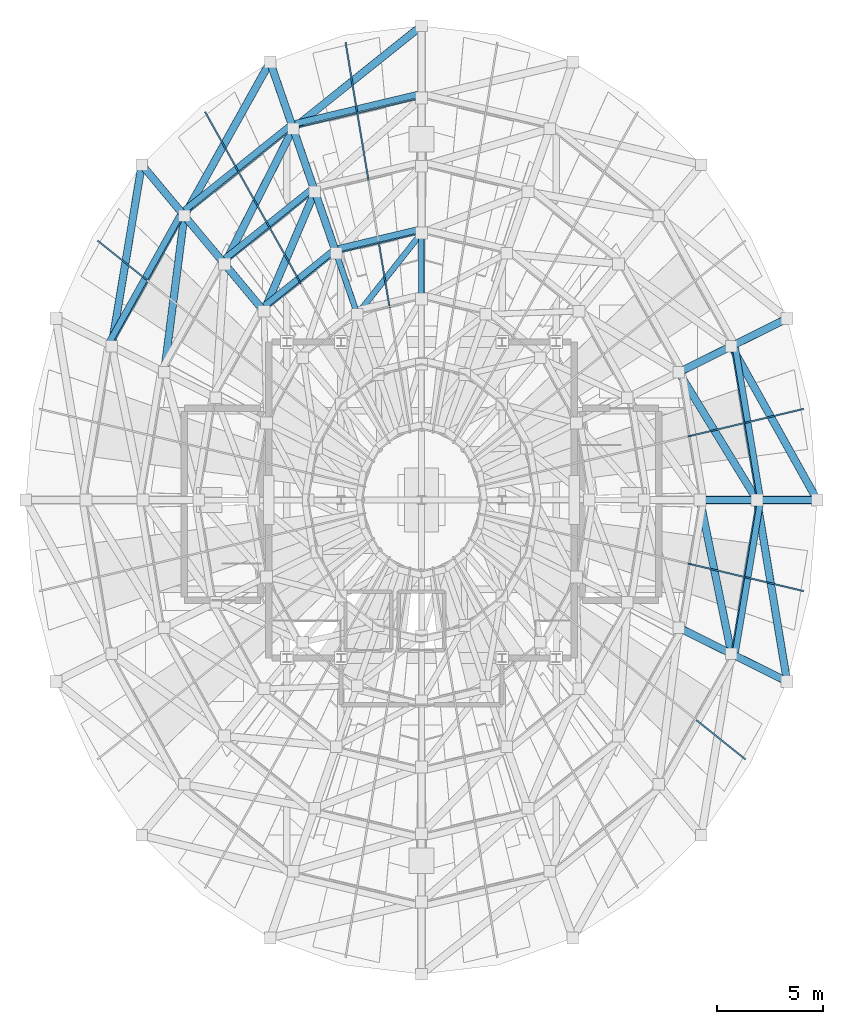
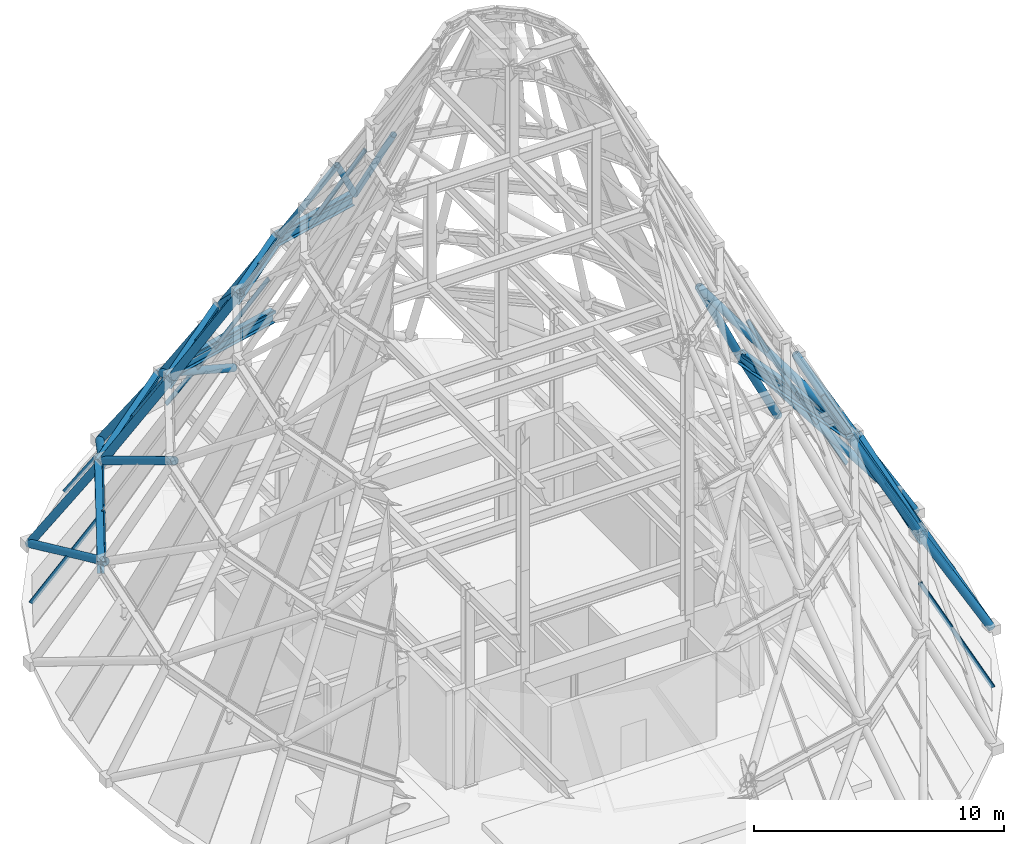
# One storey, part 9 of 16: 45 members, 8 beams, 4 elements without a shape of their own.
"""IFC4 building model written with IfcOpenShell, lengths in metres."""

from ifc_helpers import new_model, si_unit, direction, frame, origin, origin_2d, place, context, subcontext, project, spatial, hollow_rectangle, hollow_circle, i_section, extrude, material, layer, layer_set, material_profile, profile_set, type_object, element, aggregate, save


model = new_model("IFC4")

# Units and contexts
model_context = context("Model", 3, precision=1e-05, world=origin(), true_north=direction((0.0, 1.0)))
body_context = subcontext(model_context, "Body", "Model", "MODEL_VIEW")
ifc_project = project(units=[si_unit("LENGTHUNIT", "METRE"), si_unit("AREAUNIT", "SQUARE_METRE"), si_unit("VOLUMEUNIT", "CUBIC_METRE"), si_unit("PLANEANGLEUNIT", "RADIAN"), si_unit("MASSUNIT", "GRAM", prefix="KILO")], contexts=[model_context])

# Site, building, storey
site_placement = place(None, origin())
site = spatial("IfcSite", under=ifc_project, at=site_placement, CompositionType="ELEMENT")
building_placement = place(site_placement, origin())
building = spatial("IfcBuilding", under=site, at=building_placement, Name="Veldorina Hangang Commons", CompositionType="ELEMENT")
storey_placement = place(building_placement, frame((0.0, 0.0, 308.39990234375)))
storey = spatial("IfcBuildingStorey", under=building, at=storey_placement, Name="Crown", CompositionType="ELEMENT", Elevation=308.39990234375)

# Beams
ifc_material_1 = material(Name="Steel SM460-TMC", Category="steel")
ifc_material_profile_1 = material_profile(ifc_material_1, i_section(OverallWidth=0.300048828125, OverallDepth=0.587890625, WebThickness=0.011962890625, FlangeThickness=0.02001953125, FilletRadius=0.01806640625, at=origin_2d()), Name="H-588x300x12x20")
ifc_profile_set_1 = profile_set([ifc_material_profile_1], Name="Steel SM460-TMC")
beam_type = type_object("IfcBeamType", Name="BM-FG588", PredefinedType="BEAM", material=ifc_profile_set_1)
beam_1_placement = place(storey_placement, frame((47.989013671875, 24.0, 4.5), z_axis=(-0.163733169397, 0.986504662553, 0.0), x_axis=(-0.986504662553, -0.163733169397, 0.0)))
element("IfcBeam", 1, at=beam_1_placement, inside=storey, type_object=beam_type, Name="Crown tier 1 ring beam 00", PredefinedType="BEAM", context=body_context, shape_type="SweptSolid", body=[
    extrude(i_section(OverallWidth=0.300048828125, OverallDepth=0.587890625, WebThickness=0.011962890625, FlangeThickness=0.02001953125, FilletRadius=0.01806640625, at=origin_2d()), origin(), (0.0, 0.0, 1.0), 7.43310546875),
])
beam_2_placement = place(storey_placement, frame((32.0, 43.1611328125, 4.5), z_axis=(-0.972737457446, -0.231909117718, 0.0), x_axis=(0.231909117718, -0.972737457446, 0.0)))
element("IfcBeam", 2, at=beam_2_placement, inside=storey, type_object=beam_type, Name="Crown tier 1 ring beam 04", PredefinedType="BEAM", context=body_context, shape_type="SweptSolid", body=[
    extrude(i_section(OverallWidth=0.300048828125, OverallDepth=0.587890625, WebThickness=0.011962890625, FlangeThickness=0.02001953125, FilletRadius=0.01806640625, at=origin_2d()), origin(), (0.0, 0.0, 1.0), 6.2900390625),
])
beam_3_placement = place(storey_placement, frame((25.88134765625, 41.702392578125, 4.5), z_axis=(-0.780592742978, -0.62503997441, 0.0), x_axis=(0.62503997441, -0.780592742978, 0.0)))
element("IfcBeam", 3, at=beam_3_placement, inside=storey, type_object=beam_type, Name="Crown tier 1 ring beam 05", PredefinedType="BEAM", context=body_context, shape_type="SweptSolid", body=[
    extrude(i_section(OverallWidth=0.300048828125, OverallDepth=0.587890625, WebThickness=0.011962890625, FlangeThickness=0.02001953125, FilletRadius=0.01806640625, at=origin_2d()), origin(), (0.0, 0.0, 1.0), 6.645263671875),
])
beam_4_placement = place(storey_placement, frame((20.694091796875, 37.548828125, 4.5), z_axis=(-0.48700541563, -0.873398949591, 0.0), x_axis=(0.873398949591, -0.48700541563, 0.0)))
element("IfcBeam", 4, at=beam_4_placement, inside=storey, type_object=beam_type, Name="Crown tier 1 ring beam 06", PredefinedType="BEAM", context=body_context, shape_type="SweptSolid", body=[
    extrude(i_section(OverallWidth=0.300048828125, OverallDepth=0.587890625, WebThickness=0.011962890625, FlangeThickness=0.02001953125, FilletRadius=0.01806640625, at=origin_2d()), origin(), (0.0, 0.0, 1.0), 7.1171875),
])
beam_5_placement = place(storey_placement, frame((46.77197265625, 16.667236328125, 4.5), z_axis=(0.163733169397, 0.986504662553, 0.0), x_axis=(-0.986504662553, 0.163733169397, 0.0)))
element("IfcBeam", 5, at=beam_5_placement, inside=storey, type_object=beam_type, Name="Crown tier 1 ring beam 15", PredefinedType="BEAM", context=body_context, shape_type="SweptSolid", body=[
    extrude(i_section(OverallWidth=0.300048828125, OverallDepth=0.587890625, WebThickness=0.011962890625, FlangeThickness=0.02001953125, FilletRadius=0.01806640625, at=origin_2d()), origin(), (0.0, 0.0, 1.0), 7.43310546875),
])
beam_6_placement = place(storey_placement, frame((26.911865234375, 38.72119140625, 9.300048828125), z_axis=(-0.780592886021, -0.625039795768, 0.0), x_axis=(0.625039795768, -0.780592886021, 0.0)))
element("IfcBeam", 6, at=beam_6_placement, inside=storey, type_object=beam_type, Name="Crown tier 2 ring beam 05", PredefinedType="BEAM", context=body_context, shape_type="SweptSolid", body=[
    extrude(i_section(OverallWidth=0.300048828125, OverallDepth=0.587890625, WebThickness=0.011962890625, FlangeThickness=0.02001953125, FilletRadius=0.01806640625, at=origin_2d()), origin(), (0.0, 0.0, 1.0), 5.526123046875),
])
beam_7_placement = place(storey_placement, frame((32.0, 36.781005859375, 14.10009765625), z_axis=(-0.972743744908, -0.231882743522, 0.0), x_axis=(0.231882743522, -0.972743744908, 0.0)))
element("IfcBeam", 7, at=beam_7_placement, inside=storey, type_object=beam_type, Name="Crown tier 3 ring beam 04", PredefinedType="BEAM", context=body_context, shape_type="SweptSolid", body=[
    extrude(i_section(OverallWidth=0.300048828125, OverallDepth=0.587890625, WebThickness=0.011962890625, FlangeThickness=0.02001953125, FilletRadius=0.01806640625, at=origin_2d()), origin(), (0.0, 0.0, 1.0), 4.195556640625),
])
beam_8_placement = place(storey_placement, frame((27.918701171875, 35.80810546875, 14.10009765625), z_axis=(-0.780610819839, -0.625017398118, 0.0), x_axis=(0.625017398118, -0.780610819839, 0.0)))
element("IfcBeam", 8, at=beam_8_placement, inside=storey, type_object=beam_type, Name="Crown tier 3 ring beam 05", PredefinedType="BEAM", context=body_context, shape_type="SweptSolid", body=[
    extrude(i_section(OverallWidth=0.300048828125, OverallDepth=0.587890625, WebThickness=0.011962890625, FlangeThickness=0.02001953125, FilletRadius=0.01806640625, at=origin_2d()), origin(), (0.0, 0.0, 1.0), 4.4326171875),
])

# Members
ifc_material_2 = material(Name="Steel SM355-TMC", Category="steel")
ifc_material_profile_2 = material_profile(ifc_material_2, hollow_circle(Radius=0.136474609375, WallThickness=0.011962890625, at=origin_2d()), Name="CHS-273.0x12")
ifc_profile_set_2 = profile_set([ifc_material_profile_2], Name="Steel SM355-TMC")
member_type_1 = type_object("IfcMemberType", Name="CRN-RIB273", PredefinedType="BRACE", material=ifc_profile_set_2)
member_1_placement = place(storey_placement, frame((32.0, 36.584228515625, 14.400146484375), z_axis=(0.0, -0.543316784792, 0.839527766881), x_axis=(1.0, 0.0, 0.0)))
element("IfcMember", 9, at=member_1_placement, inside=storey, type_object=member_type_1, Name="Crown tier 4 CROWN FRAME meridian rib 04", PredefinedType="BRACE", context=body_context, shape_type="SweptSolid", body=[
    extrude(hollow_circle(Radius=0.136474609375, WallThickness=0.011962890625, at=origin_2d()), origin(), (0.0, 0.0, 1.0), 5.717529296875),
])
member_2_placement = place(storey_placement, frame((32.0, 36.584228515625, 14.400146484375), z_axis=(-0.442166215286, -0.559225948977, 0.701252719104), x_axis=(0.784424082486, -0.620224845371, 0.0)))
element("IfcMember", 10, at=member_2_placement, inside=storey, type_object=member_type_1, Name="Crown tier 4 CROWN FRAME diagrid brace 04", PredefinedType="BRACE", context=body_context, shape_type="SweptSolid", body=[
    extrude(hollow_circle(Radius=0.136474609375, WallThickness=0.011962890625, at=origin_2d()), origin(), (0.0, 0.0, 1.0), 6.844970703125),
])
member_3_placement = place(storey_placement, frame((27.9814453125, 35.626220703125, 14.400146484375), z_axis=(0.174642809834, -0.505273499779, 0.845102703459), x_axis=(0.945136052308, 0.326676969845, 0.0)))
element("IfcMember", 11, at=member_3_placement, inside=storey, type_object=member_type_1, Name="Crown tier 4 CROWN FRAME meridian rib 05", PredefinedType="BRACE", context=body_context, shape_type="SweptSolid", body=[
    extrude(hollow_circle(Radius=0.136474609375, WallThickness=0.011962890625, at=origin_2d()), origin(), (0.0, 0.0, 1.0), 5.679931640625),
])
ifc_material_profile_3 = material_profile(ifc_material_2, hollow_circle(Radius=0.177734375, WallThickness=0.01611328125, at=origin_2d()), Name="CHS-355.6x16")
ifc_profile_set_3 = profile_set([ifc_material_profile_3], Name="Steel SM355-TMC")
member_type_2 = type_object("IfcMemberType", Name="CRN-RIB355", PredefinedType="BRACE", material=ifc_profile_set_3)
member_4_placement = place(storey_placement, frame((50.64990234375, 24.0, 0.0), z_axis=(-0.50899331274, 0.0, 0.860770473231), x_axis=(0.0, -1.0, 0.0)))
element("IfcMember", 12, at=member_4_placement, inside=storey, type_object=member_type_2, Name="Crown tier 1 CROWN FRAME meridian rib 00", PredefinedType="BRACE", context=body_context, shape_type="SweptSolid", body=[
    extrude(hollow_circle(Radius=0.177734375, WallThickness=0.01611328125, at=origin_2d()), origin(), (0.0, 0.0, 1.0), 5.576416015625),
])
member_5_placement = place(storey_placement, frame((50.64990234375, 24.0, 0.0), z_axis=(-0.421502189024, 0.75616311405, 0.500552943851), x_axis=(-0.8734641768, -0.486888418272, 0.0)))
element("IfcMember", 13, at=member_5_placement, inside=storey, type_object=member_type_2, Name="Crown tier 1 CROWN FRAME diagrid brace 00", PredefinedType="BRACE", context=body_context, shape_type="SweptSolid", body=[
    extrude(hollow_circle(Radius=0.177734375, WallThickness=0.01611328125, at=origin_2d()), origin(), (0.0, 0.0, 1.0), 9.589599609375),
])
member_6_placement = place(storey_placement, frame((49.23046875, 32.552978515625, 0.0), z_axis=(-0.46643736726, -0.231525232008, 0.853716726653), x_axis=(0.444610084266, -0.895724217027, 0.0)))
element("IfcMember", 14, at=member_6_placement, inside=storey, type_object=member_type_2, Name="Crown tier 1 CROWN FRAME meridian rib 01", PredefinedType="BRACE", context=body_context, shape_type="SweptSolid", body=[
    extrude(hollow_circle(Radius=0.177734375, WallThickness=0.01611328125, at=origin_2d()), origin(), (0.0, 0.0, 1.0), 5.62255859375),
])
member_7_placement = place(storey_placement, frame((32.0, 46.35009765625, 0.0), z_axis=(-0.663693099032, -0.531324030742, 0.526503793579), x_axis=(0.62496005921, -0.780656726348, 0.0)))
element("IfcMember", 15, at=member_7_placement, inside=storey, type_object=member_type_2, Name="Crown tier 1 CROWN FRAME diagrid brace 04", PredefinedType="BRACE", context=body_context, shape_type="SweptSolid", body=[
    extrude(hollow_circle(Radius=0.177734375, WallThickness=0.01611328125, at=origin_2d()), origin(), (0.0, 0.0, 1.0), 9.116943359375),
])
member_8_placement = place(storey_placement, frame((24.863037109375, 44.648681640625, 0.0), z_axis=(0.186016034255, -0.538187995712, 0.822041188914), x_axis=(0.945137867095, 0.32667171929, 0.0)))
element("IfcMember", 16, at=member_8_placement, inside=storey, type_object=member_type_2, Name="Crown tier 1 CROWN FRAME meridian rib 05", PredefinedType="BRACE", context=body_context, shape_type="SweptSolid", body=[
    extrude(hollow_circle(Radius=0.177734375, WallThickness=0.01611328125, at=origin_2d()), origin(), (0.0, 0.0, 1.0), 5.839111328125),
])
member_9_placement = place(storey_placement, frame((24.863037109375, 44.648681640625, 0.0), z_axis=(-0.421668374498, -0.756059899111, 0.500568887272), x_axis=(0.873354250632, -0.487085570412, 0.0)))
element("IfcMember", 17, at=member_9_placement, inside=storey, type_object=member_type_2, Name="Crown tier 1 CROWN FRAME diagrid brace 05", PredefinedType="BRACE", context=body_context, shape_type="SweptSolid", body=[
    extrude(hollow_circle(Radius=0.177734375, WallThickness=0.01611328125, at=origin_2d()), origin(), (0.0, 0.0, 1.0), 9.589111328125),
])
member_10_placement = place(storey_placement, frame((18.8125, 39.8037109375, 0.0), z_axis=(0.350168559507, -0.419597430934, 0.837448491482), x_axis=(0.767767513013, 0.640728527508, 0.0)))
element("IfcMember", 18, at=member_10_placement, inside=storey, type_object=member_type_2, Name="Crown tier 1 CROWN FRAME meridian rib 06", PredefinedType="BRACE", context=body_context, shape_type="SweptSolid", body=[
    extrude(hollow_circle(Radius=0.177734375, WallThickness=0.01611328125, at=origin_2d()), origin(), (0.0, 0.0, 1.0), 5.731689453125),
])
member_11_placement = place(storey_placement, frame((18.8125, 39.8037109375, 0.0), z_axis=(-0.143334626605, -0.863038037916, 0.484376434115), x_axis=(0.986487378252, -0.163837274604, 0.0)))
element("IfcMember", 19, at=member_11_placement, inside=storey, type_object=member_type_2, Name="Crown tier 1 CROWN FRAME diagrid brace 06", PredefinedType="BRACE", context=body_context, shape_type="SweptSolid", body=[
    extrude(hollow_circle(Radius=0.177734375, WallThickness=0.01611328125, at=origin_2d()), origin(), (0.0, 0.0, 1.0), 9.90966796875),
])
member_12_placement = place(storey_placement, frame((49.23046875, 15.447021484375, 0.0), z_axis=(-0.46643736726, 0.231525232008, 0.853716726653), x_axis=(-0.444610084266, -0.895724217027, 0.0)))
element("IfcMember", 20, at=member_12_placement, inside=storey, type_object=member_type_2, Name="Crown tier 1 CROWN FRAME meridian rib 15", PredefinedType="BRACE", context=body_context, shape_type="SweptSolid", body=[
    extrude(hollow_circle(Radius=0.177734375, WallThickness=0.01611328125, at=origin_2d()), origin(), (0.0, 0.0, 1.0), 5.62255859375),
])
member_13_placement = place(storey_placement, frame((49.23046875, 15.447021484375, 0.0), z_axis=(-0.143183751361, 0.863068885314, 0.484366093517), x_axis=(-0.986516182276, -0.163663747078, 0.0)))
element("IfcMember", 21, at=member_13_placement, inside=storey, type_object=member_type_2, Name="Crown tier 1 CROWN FRAME diagrid brace 15", PredefinedType="BRACE", context=body_context, shape_type="SweptSolid", body=[
    extrude(hollow_circle(Radius=0.177734375, WallThickness=0.01611328125, at=origin_2d()), origin(), (0.0, 0.0, 1.0), 9.909912109375),
])
member_14_placement = place(storey_placement, frame((47.8115234375, 24.0, 4.800048828125), z_axis=(-0.487921854716, 0.0, 0.872887314429), x_axis=(0.0, -1.0, 0.0)))
element("IfcMember", 22, at=member_14_placement, inside=storey, type_object=member_type_2, Name="Crown tier 2 CROWN FRAME meridian rib 00", PredefinedType="BRACE", context=body_context, shape_type="SweptSolid", body=[
    extrude(hollow_circle(Radius=0.177734375, WallThickness=0.01611328125, at=origin_2d()), origin(), (0.0, 0.0, 1.0), 5.4990234375),
])
member_15_placement = place(storey_placement, frame((47.8115234375, 24.0, 4.800048828125), z_axis=(-0.431433256184, 0.705401812024, 0.562382102356), x_axis=(-0.853091089083, -0.521762008704, 0.0)))
element("IfcMember", 23, at=member_15_placement, inside=storey, type_object=member_type_2, Name="Crown tier 2 CROWN FRAME diagrid brace 00", PredefinedType="BRACE", context=body_context, shape_type="SweptSolid", body=[
    extrude(hollow_circle(Radius=0.177734375, WallThickness=0.01611328125, at=origin_2d()), origin(), (0.0, 0.0, 1.0), 8.53515625),
])
member_16_placement = place(storey_placement, frame((46.60791015625, 31.251220703125, 4.800048828125), z_axis=(-0.447377291638, -0.222080325998, 0.866333589174), x_axis=(0.444635676807, -0.895711513218, 0.0)))
element("IfcMember", 24, at=member_16_placement, inside=storey, type_object=member_type_2, Name="Crown tier 2 CROWN FRAME meridian rib 01", PredefinedType="BRACE", context=body_context, shape_type="SweptSolid", body=[
    extrude(hollow_circle(Radius=0.177734375, WallThickness=0.01611328125, at=origin_2d()), origin(), (0.0, 0.0, 1.0), 5.54052734375),
])
member_17_placement = place(storey_placement, frame((25.94921875, 41.506103515625, 4.800048828125), z_axis=(0.17896971746, -0.517761179755, 0.836596199472), x_axis=(0.94513004186, 0.326694358651, 0.0)))
element("IfcMember", 25, at=member_17_placement, inside=storey, type_object=member_type_2, Name="Crown tier 2 CROWN FRAME meridian rib 05", PredefinedType="BRACE", context=body_context, shape_type="SweptSolid", body=[
    extrude(hollow_circle(Radius=0.177734375, WallThickness=0.01611328125, at=origin_2d()), origin(), (0.0, 0.0, 1.0), 5.737548828125),
])
member_18_placement = place(storey_placement, frame((25.94921875, 41.506103515625, 4.800048828125), z_axis=(-0.375235683021, -0.740750381203, 0.557213652861), x_axis=(0.892073568209, -0.451890195626, 0.0)))
element("IfcMember", 26, at=member_18_placement, inside=storey, type_object=member_type_2, Name="Crown tier 2 CROWN FRAME diagrid brace 05", PredefinedType="BRACE", context=body_context, shape_type="SweptSolid", body=[
    extrude(hollow_circle(Radius=0.177734375, WallThickness=0.01611328125, at=origin_2d()), origin(), (0.0, 0.0, 1.0), 8.6142578125),
])
member_19_placement = place(storey_placement, frame((20.819580078125, 37.398681640625, 4.800048828125), z_axis=(0.336386334792, -0.40313549555, 0.85107344336), x_axis=(0.767808896081, 0.640678936051, 0.0)))
element("IfcMember", 27, at=member_19_placement, inside=storey, type_object=member_type_2, Name="Crown tier 2 CROWN FRAME meridian rib 06", PredefinedType="BRACE", context=body_context, shape_type="SweptSolid", body=[
    extrude(hollow_circle(Radius=0.177734375, WallThickness=0.01611328125, at=origin_2d()), origin(), (0.0, 0.0, 1.0), 5.639892578125),
])
member_20_placement = place(storey_placement, frame((20.819580078125, 37.398681640625, 4.800048828125), z_axis=(-0.107165679164, -0.833388271832, 0.54219876944), x_axis=(0.991833403051, -0.127540192067, 0.0)))
element("IfcMember", 28, at=member_20_placement, inside=storey, type_object=member_type_2, Name="Crown tier 2 CROWN FRAME diagrid brace 06", PredefinedType="BRACE", context=body_context, shape_type="SweptSolid", body=[
    extrude(hollow_circle(Radius=0.177734375, WallThickness=0.01611328125, at=origin_2d()), origin(), (0.0, 0.0, 1.0), 8.85302734375),
])
member_21_placement = place(storey_placement, frame((46.60791015625, 16.748779296875, 4.800048828125), z_axis=(-0.447377291638, 0.222080325998, 0.866333589174), x_axis=(-0.444635676807, -0.895711513218, 0.0)))
element("IfcMember", 29, at=member_21_placement, inside=storey, type_object=member_type_2, Name="Crown tier 2 CROWN FRAME meridian rib 15", PredefinedType="BRACE", context=body_context, shape_type="SweptSolid", body=[
    extrude(hollow_circle(Radius=0.177734375, WallThickness=0.01611328125, at=origin_2d()), origin(), (0.0, 0.0, 1.0), 5.54052734375),
])
member_22_placement = place(storey_placement, frame((46.60791015625, 16.748779296875, 4.800048828125), z_axis=(-0.167724372344, 0.822043165512, 0.544163182288), x_axis=(-0.979813291029, -0.199914768649, 0.0)))
element("IfcMember", 30, at=member_22_placement, inside=storey, type_object=member_type_2, Name="Crown tier 2 CROWN FRAME diagrid brace 15", PredefinedType="BRACE", context=body_context, shape_type="SweptSolid", body=[
    extrude(hollow_circle(Radius=0.177734375, WallThickness=0.01611328125, at=origin_2d()), origin(), (0.0, 0.0, 1.0), 8.821044921875),
])
member_23_placement = place(storey_placement, frame((26.97607421875, 38.535400390625, 9.60009765625), z_axis=(0.176314249131, -0.510189556253, 0.841795641616), x_axis=(0.94515192212, 0.326631051971, 0.0)))
element("IfcMember", 31, at=member_23_placement, inside=storey, type_object=member_type_2, Name="Crown tier 3 CROWN FRAME meridian rib 05", PredefinedType="BRACE", context=body_context, shape_type="SweptSolid", body=[
    extrude(hollow_circle(Radius=0.177734375, WallThickness=0.01611328125, at=origin_2d()), origin(), (0.0, 0.0, 1.0), 5.7021484375),
])
member_24_placement = place(storey_placement, frame((26.97607421875, 38.535400390625, 9.60009765625), z_axis=(-0.308521470937, -0.7242224728, 0.616697909728), x_axis=(0.919998172689, -0.391922648299, 0.0)))
element("IfcMember", 32, at=member_24_placement, inside=storey, type_object=member_type_2, Name="Crown tier 3 CROWN FRAME diagrid brace 05", PredefinedType="BRACE", context=body_context, shape_type="SweptSolid", body=[
    extrude(hollow_circle(Radius=0.177734375, WallThickness=0.01611328125, at=origin_2d()), origin(), (0.0, 0.0, 1.0), 7.783447265625),
])
member_25_placement = place(storey_placement, frame((22.716796875, 35.125, 9.60009765625), z_axis=(0.331295255321, -0.397031895995, 0.855925888944), x_axis=(0.767807072832, 0.64068112108, 0.0)))
element("IfcMember", 33, at=member_25_placement, inside=storey, type_object=member_type_2, Name="Crown tier 3 CROWN FRAME meridian rib 06", PredefinedType="BRACE", context=body_context, shape_type="SweptSolid", body=[
    extrude(hollow_circle(Radius=0.177734375, WallThickness=0.01611328125, at=origin_2d()), origin(), (0.0, 0.0, 1.0), 5.60791015625),
])

# Curtain wall, members
ifc_material_3 = material(Name="Glass Low-Iron Laminated", Category="glass")
ifc_layer = layer(ifc_material_3, 0.179931640625)
ifc_layer_set = layer_set([ifc_layer], Name="Glass Low-Iron Laminated")
curtain_wall_type = type_object("IfcCurtainWallType", Name="CW-SYS-CRN", PredefinedType="NOTDEFINED", material=ifc_layer_set)
curtain_wall_1_placement = place(storey_placement, origin())
curtain_wall_1 = element("IfcCurtainWall", 34, at=curtain_wall_1_placement, inside=storey, type_object=curtain_wall_type, Name="Crown glass-point sloped pyramidal curtain wall tier 1", PredefinedType="NOTDEFINED")
ifc_material_4 = material(Name="Aluminium Anodized AA6063-T6", Category="aluminium")
ifc_material_profile_4 = material_profile(ifc_material_4, hollow_rectangle(XDim=0.070068359375, YDim=0.179931640625, WallThickness=0.00390625, at=origin_2d()), Name="ALU-RHS-180x70x4")
ifc_profile_set_4 = profile_set([ifc_material_profile_4], Name="Aluminium Anodized AA6063-T6")
member_type_3 = type_object("IfcMemberType", Name="CW-MUL-180", PredefinedType="MULLION", material=ifc_profile_set_4)
member_26_placement = place(storey_placement, frame((49.940185546875, 28.276611328125, 0.0), z_axis=(-0.491044075663, -0.117053246219, 0.86323476141), x_axis=(0.231879208722, -0.972744587527, 0.0)))
member_26 = element("IfcMember", 35, at=member_26_placement, type_object=member_type_3, Name="CW-CRN-T1 sloped mid-facet mullion 1", PredefinedType="MULLION", context=body_context, shape_type="SweptSolid", body=[
    extrude(hollow_rectangle(XDim=0.070068359375, YDim=0.179931640625, WallThickness=0.00390625, at=origin_2d()), origin(), (0.0, 0.0, 1.0), 5.560546875),
])
member_27_placement = place(storey_placement, frame((28.431396484375, 45.499267578125, 0.0), z_axis=(0.093103638593, -0.560797736822, 0.82270141051), x_axis=(0.986497177914, 0.163778258533, 0.0)))
member_27 = element("IfcMember", 36, at=member_27_placement, type_object=member_type_3, Name="CW-CRN-T1 sloped mid-facet mullion 5", PredefinedType="MULLION", context=body_context, shape_type="SweptSolid", body=[
    extrude(hollow_rectangle(XDim=0.070068359375, YDim=0.179931640625, WallThickness=0.00390625, at=origin_2d()), origin(), (0.0, 0.0, 1.0), 5.83447265625),
])
member_28_placement = place(storey_placement, frame((21.837646484375, 42.226318359375, 0.0), z_axis=(0.268755836906, -0.48194504718, 0.833965989491), x_axis=(0.873380223306, 0.487038997964, 0.0)))
member_28 = element("IfcMember", 37, at=member_28_placement, type_object=member_type_3, Name="CW-CRN-T1 sloped mid-facet mullion 6", PredefinedType="MULLION", context=body_context, shape_type="SweptSolid", body=[
    extrude(hollow_rectangle(XDim=0.070068359375, YDim=0.179931640625, WallThickness=0.00390625, at=origin_2d()), origin(), (0.0, 0.0, 1.0), 5.755615234375),
])
member_29_placement = place(storey_placement, frame((16.791015625, 36.178466796875, 0.0), z_axis=(0.410251211856, -0.32851251982, 0.850748768728), x_axis=(0.625056433501, 0.780579563491, 0.0)))
member_29 = element("IfcMember", 38, at=member_29_placement, type_object=member_type_3, Name="CW-CRN-T1 sloped mid-facet mullion 7", PredefinedType="MULLION", context=body_context, shape_type="SweptSolid", body=[
    extrude(hollow_rectangle(XDim=0.070068359375, YDim=0.179931640625, WallThickness=0.00390625, at=origin_2d()), origin(), (0.0, 0.0, 1.0), 5.64208984375),
])
member_30_placement = place(storey_placement, frame((47.208984375, 11.821533203125, 0.0), z_axis=(-0.410251211856, 0.32851251982, 0.850748768728), x_axis=(-0.625056433501, -0.780579563491, 0.0)))
member_30 = element("IfcMember", 39, at=member_30_placement, type_object=member_type_3, Name="CW-CRN-T1 sloped mid-facet mullion 15", PredefinedType="MULLION", context=body_context, shape_type="SweptSolid", body=[
    extrude(hollow_rectangle(XDim=0.070068359375, YDim=0.179931640625, WallThickness=0.00390625, at=origin_2d()), origin(), (0.0, 0.0, 1.0), 5.64208984375),
])
member_31_placement = place(storey_placement, frame((49.940185546875, 19.723388671875, 0.0), z_axis=(-0.491044075663, 0.117053246219, 0.86323476141), x_axis=(-0.231879208722, -0.972744587527, 0.0)))
member_31 = element("IfcMember", 40, at=member_31_placement, type_object=member_type_3, Name="CW-CRN-T1 sloped mid-facet mullion 16", PredefinedType="MULLION", context=body_context, shape_type="SweptSolid", body=[
    extrude(hollow_rectangle(XDim=0.070068359375, YDim=0.179931640625, WallThickness=0.00390625, at=origin_2d()), origin(), (0.0, 0.0, 1.0), 5.560546875),
])

curtain_wall_2_placement = place(storey_placement, origin())
curtain_wall_2 = element("IfcCurtainWall", 41, at=curtain_wall_2_placement, inside=storey, type_object=curtain_wall_type, Name="Crown glass-point sloped pyramidal curtain wall tier 2", PredefinedType="NOTDEFINED")
member_32_placement = place(storey_placement, frame((47.209716796875, 27.625732421875, 4.800048828125), z_axis=(-0.470600443519, -0.112174907082, 0.875186844497), x_axis=(0.231869306541, -0.972746947918, 0.0)))
member_32 = element("IfcMember", 42, at=member_32_placement, type_object=member_type_3, Name="CW-CRN-T2 sloped mid-facet mullion 1", PredefinedType="MULLION", context=body_context, shape_type="SweptSolid", body=[
    extrude(hollow_rectangle(XDim=0.070068359375, YDim=0.179931640625, WallThickness=0.00390625, at=origin_2d()), origin(), (0.0, 0.0, 1.0), 5.484619140625),
])
member_33_placement = place(storey_placement, frame((28.974609375, 42.227294921875, 4.800048828125), z_axis=(0.089551725769, -0.539482079778, 0.83722134111), x_axis=(0.986501044241, 0.163754968509, 0.0)))
member_33 = element("IfcMember", 43, at=member_33_placement, type_object=member_type_3, Name="CW-CRN-T2 sloped mid-facet mullion 5", PredefinedType="MULLION", context=body_context, shape_type="SweptSolid", body=[
    extrude(hollow_rectangle(XDim=0.070068359375, YDim=0.179931640625, WallThickness=0.00390625, at=origin_2d()), origin(), (0.0, 0.0, 1.0), 5.7333984375),
])
member_34_placement = place(storey_placement, frame((23.384521484375, 39.452392578125, 4.800048828125), z_axis=(0.258213776392, -0.46317203945, 0.847819147904), x_axis=(0.873439034538, 0.486933520046, 0.0)))
member_34 = element("IfcMember", 44, at=member_34_placement, type_object=member_type_3, Name="CW-CRN-T2 sloped mid-facet mullion 6", PredefinedType="MULLION", context=body_context, shape_type="SweptSolid", body=[
    extrude(hollow_rectangle(XDim=0.070068359375, YDim=0.179931640625, WallThickness=0.00390625, at=origin_2d()), origin(), (0.0, 0.0, 1.0), 5.66162109375),
])
member_35_placement = place(storey_placement, frame((47.209716796875, 20.374267578125, 4.800048828125), z_axis=(-0.470600443519, 0.112174907082, 0.875186844497), x_axis=(-0.231869306541, -0.972746947918, 0.0)))
member_35 = element("IfcMember", 45, at=member_35_placement, type_object=member_type_3, Name="CW-CRN-T2 sloped mid-facet mullion 16", PredefinedType="MULLION", context=body_context, shape_type="SweptSolid", body=[
    extrude(hollow_rectangle(XDim=0.070068359375, YDim=0.179931640625, WallThickness=0.00390625, at=origin_2d()), origin(), (0.0, 0.0, 1.0), 5.484619140625),
])

# Curtain wall, member
curtain_wall_3_placement = place(storey_placement, origin())
curtain_wall_3 = element("IfcCurtainWall", 46, at=curtain_wall_3_placement, inside=storey, type_object=curtain_wall_type, Name="Crown glass-point sloped pyramidal curtain wall tier 3", PredefinedType="NOTDEFINED")
member_36_placement = place(storey_placement, frame((24.846435546875, 36.830078125, 9.60009765625), z_axis=(0.254339513365, -0.456197646926, 0.852757362255), x_axis=(0.873427723074, 0.486953809479, 0.0)))
member_36 = element("IfcMember", 47, at=member_36_placement, type_object=member_type_3, Name="CW-CRN-T3 sloped mid-facet mullion 6", PredefinedType="MULLION", context=body_context, shape_type="SweptSolid", body=[
    extrude(hollow_rectangle(XDim=0.070068359375, YDim=0.179931640625, WallThickness=0.00390625, at=origin_2d()), origin(), (0.0, 0.0, 1.0), 5.62890625),
])

curtain_wall_4_placement = place(storey_placement, origin())
curtain_wall_4 = element("IfcCurtainWall", 48, at=curtain_wall_4_placement, inside=storey, type_object=curtain_wall_type, Name="Crown glass-point sloped pyramidal curtain wall tier 4", PredefinedType="NOTDEFINED")
member_37_placement = place(storey_placement, frame((29.99072265625, 36.105224609375, 14.400146484375), z_axis=(0.087404756742, -0.526450205595, 0.845701241295), x_axis=(0.986496119713, 0.163784632344, 0.0)))
member_37 = element("IfcMember", 49, at=member_37_placement, type_object=member_type_3, Name="CW-CRN-T4 sloped mid-facet mullion 5", PredefinedType="MULLION", context=body_context, shape_type="SweptSolid", body=[
    extrude(hollow_rectangle(XDim=0.070068359375, YDim=0.179931640625, WallThickness=0.00390625, at=origin_2d()), origin(), (0.0, 0.0, 1.0), 5.67578125),
])
aggregate(curtain_wall_4, [member_37])

# Member
ifc_material_profile_5 = material_profile(ifc_material_4, hollow_rectangle(XDim=0.06005859375, YDim=0.139892578125, WallThickness=0.00341796875, at=origin_2d()), Name="ALU-RHS-140x60x3.5")
ifc_profile_set_5 = profile_set([ifc_material_profile_5], Name="Aluminium Anodized AA6063-T6")
member_type_4 = type_object("IfcMemberType", Name="CW-TRN-140", PredefinedType="USERDEFINED", material=ifc_profile_set_5)
member_38_placement = place(storey_placement, frame((47.8115234375, 24.0, 4.800048828125), z_axis=(-0.163747230085, 0.986502328755, 0.0), x_axis=(-0.986502328755, -0.163747230085, 0.0)))
member_38 = element("IfcMember", 50, at=member_38_placement, type_object=member_type_4, Name="CW-CRN-T1 horizontal ring transom 1", ObjectType="TRANSOM", PredefinedType="USERDEFINED", context=body_context, shape_type="SweptSolid", body=[
    extrude(hollow_rectangle(XDim=0.06005859375, YDim=0.139892578125, WallThickness=0.00341796875, at=origin_2d()), origin(), (0.0, 0.0, 1.0), 7.350341796875),
])

member_39_placement = place(storey_placement, frame((32.0, 42.948486328125, 4.800048828125), z_axis=(-0.972743852943, -0.231882290316, 0.0), x_axis=(0.231882290316, -0.972743852943, 0.0)))
member_39 = element("IfcMember", 51, at=member_39_placement, type_object=member_type_4, Name="CW-CRN-T1 horizontal ring transom 5", ObjectType="TRANSOM", PredefinedType="USERDEFINED", context=body_context, shape_type="SweptSolid", body=[
    extrude(hollow_rectangle(XDim=0.06005859375, YDim=0.139892578125, WallThickness=0.00341796875, at=origin_2d()), origin(), (0.0, 0.0, 1.0), 6.22021484375),
])

member_40_placement = place(storey_placement, frame((25.94921875, 41.506103515625, 4.800048828125), z_axis=(-0.78059326765, -0.625039319163, 0.0), x_axis=(0.625039319163, -0.78059326765, 0.0)))
member_40 = element("IfcMember", 52, at=member_40_placement, type_object=member_type_4, Name="CW-CRN-T1 horizontal ring transom 6", ObjectType="TRANSOM", PredefinedType="USERDEFINED", context=body_context, shape_type="SweptSolid", body=[
    extrude(hollow_rectangle(XDim=0.06005859375, YDim=0.139892578125, WallThickness=0.00341796875, at=origin_2d()), origin(), (0.0, 0.0, 1.0), 6.571533203125),
])

member_41_placement = place(storey_placement, frame((20.819580078125, 37.398681640625, 4.800048828125), z_axis=(-0.4869706204, -0.873418350429, 0.0), x_axis=(0.873418350429, -0.4869706204, 0.0)))
member_41 = element("IfcMember", 53, at=member_41_placement, type_object=member_type_4, Name="CW-CRN-T1 horizontal ring transom 7", ObjectType="TRANSOM", PredefinedType="USERDEFINED", context=body_context, shape_type="SweptSolid", body=[
    extrude(hollow_rectangle(XDim=0.06005859375, YDim=0.139892578125, WallThickness=0.00341796875, at=origin_2d()), origin(), (0.0, 0.0, 1.0), 7.038330078125),
])

member_42_placement = place(storey_placement, frame((46.60791015625, 16.748779296875, 4.800048828125), z_axis=(0.163747230085, 0.986502328755, 0.0), x_axis=(-0.986502328755, 0.163747230085, 0.0)))
member_42 = element("IfcMember", 54, at=member_42_placement, type_object=member_type_4, Name="CW-CRN-T1 horizontal ring transom 16", ObjectType="TRANSOM", PredefinedType="USERDEFINED", context=body_context, shape_type="SweptSolid", body=[
    extrude(hollow_rectangle(XDim=0.06005859375, YDim=0.139892578125, WallThickness=0.00341796875, at=origin_2d()), origin(), (0.0, 0.0, 1.0), 7.350341796875),
])

aggregate(curtain_wall_1, [member_26, member_38, member_27, member_39, member_28, member_40, member_29, member_41, member_30, member_31, member_42])

member_43_placement = place(storey_placement, frame((26.97607421875, 38.535400390625, 9.60009765625), z_axis=(-0.780602457603, -0.625027841927, 0.0), x_axis=(0.625027841927, -0.780602457603, 0.0)))
member_43 = element("IfcMember", 55, at=member_43_placement, type_object=member_type_4, Name="CW-CRN-T2 horizontal ring transom 6", ObjectType="TRANSOM", PredefinedType="USERDEFINED", context=body_context, shape_type="SweptSolid", body=[
    extrude(hollow_rectangle(XDim=0.06005859375, YDim=0.139892578125, WallThickness=0.00341796875, at=origin_2d()), origin(), (0.0, 0.0, 1.0), 5.456298828125),
])

aggregate(curtain_wall_2, [member_32, member_33, member_34, member_43, member_35])

member_44_placement = place(storey_placement, frame((32.0, 36.584228515625, 14.400146484375), z_axis=(-0.972740229862, -0.231897488577, 0.0), x_axis=(0.231897488577, -0.972740229862, 0.0)))
member_44 = element("IfcMember", 56, at=member_44_placement, type_object=member_type_4, Name="CW-CRN-T3 horizontal ring transom 5", ObjectType="TRANSOM", PredefinedType="USERDEFINED", context=body_context, shape_type="SweptSolid", body=[
    extrude(hollow_rectangle(XDim=0.06005859375, YDim=0.139892578125, WallThickness=0.00341796875, at=origin_2d()), origin(), (0.0, 0.0, 1.0), 4.131103515625),
])

member_45_placement = place(storey_placement, frame((27.9814453125, 35.626220703125, 14.400146484375), z_axis=(-0.780601312418, -0.625029272155, 0.0), x_axis=(0.625029272155, -0.780601312418, 0.0)))
member_45 = element("IfcMember", 57, at=member_45_placement, type_object=member_type_4, Name="CW-CRN-T3 horizontal ring transom 6", ObjectType="TRANSOM", PredefinedType="USERDEFINED", context=body_context, shape_type="SweptSolid", body=[
    extrude(hollow_rectangle(XDim=0.06005859375, YDim=0.139892578125, WallThickness=0.00341796875, at=origin_2d()), origin(), (0.0, 0.0, 1.0), 4.3642578125),
])

aggregate(curtain_wall_3, [member_44, member_36, member_45])

save(model, "model.ifc")
